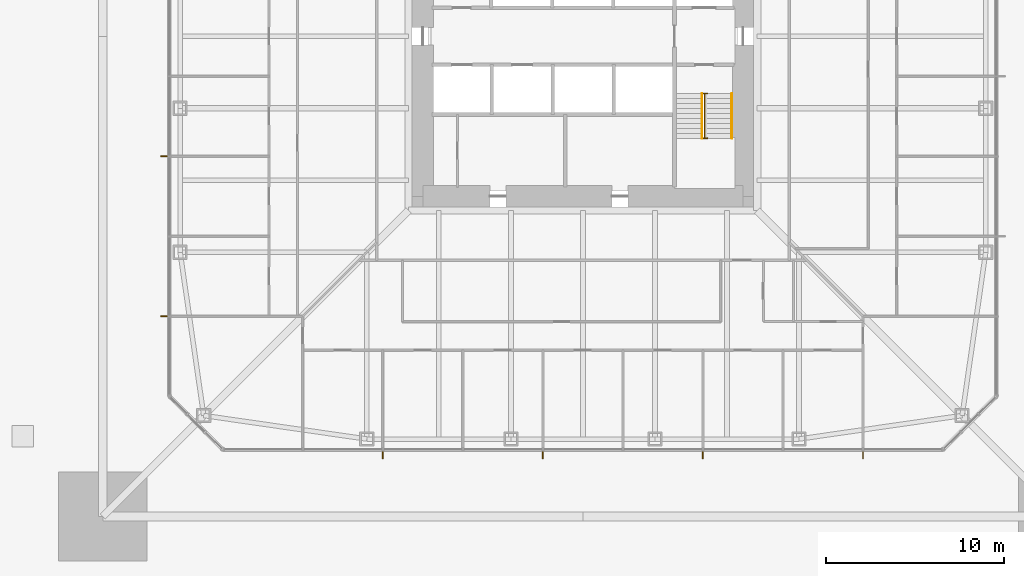
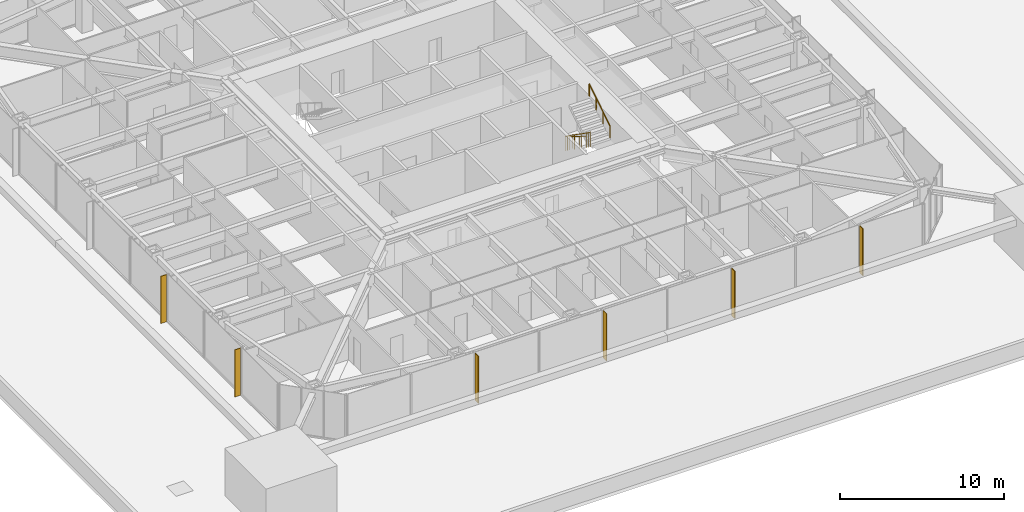
# One storey, part 27 of 31: 6 shading devices, 3 railings.
"""IFC4 building model written with IfcOpenShell, lengths in metres."""

from ifc_helpers import new_model, si_unit, direction, frame, origin, origin_2d, place, context, subcontext, project, spatial, rectangle, circle, extrude, material, layer, layer_set, constituent, constituent_set, type_object, element, save


model = new_model("IFC4")

# Units and contexts
model_context = context("Model", 3, precision=1e-05, world=origin(), true_north=direction((0.0, 1.0)))
body_context = subcontext(model_context, "Body", "Model", "MODEL_VIEW")
ifc_project = project(units=[si_unit("LENGTHUNIT", "METRE"), si_unit("AREAUNIT", "SQUARE_METRE"), si_unit("VOLUMEUNIT", "CUBIC_METRE"), si_unit("PLANEANGLEUNIT", "RADIAN"), si_unit("MASSUNIT", "GRAM", prefix="KILO")], contexts=[model_context])

# Site, building, storey
site_placement = place(None, origin())
site = spatial("IfcSite", under=ifc_project, at=site_placement, CompositionType="ELEMENT")
building_placement = place(site_placement, origin())
building = spatial("IfcBuilding", under=site, at=building_placement, Name="Iwan Alto Co-Living Towers", CompositionType="ELEMENT")
storey_placement = place(building_placement, frame((0.0, 0.0, 15.0)))
storey = spatial("IfcBuildingStorey", under=building, at=storey_placement, Name="L03", CompositionType="ELEMENT", Elevation=15.0)

# Shading devices
ifc_material_1 = material(Name="Aluminium 6063-T6 bronze anodised", Category="aluminium")
ifc_layer = layer(ifc_material_1, 0.050048828125)
ifc_layer_set = layer_set([ifc_layer], Name="BRONZE FIN 50X400")
shading_device_type = type_object("IfcShadingDeviceType", Name="BRONZE FIN 50X400", PredefinedType="USERDEFINED", material=ifc_layer_set)
for number, where, z_axis, x_axis, name in (
    (1, (-11.25, -23.550048828125, 0.0), (0.0, 0.0, 1.0), (1.0, 0.0, 0.0), "Bronze fin L03"),
    (2, (-2.25, -23.550048828125, 0.0), (0.0, 0.0, 1.0), (1.0, 0.0, 0.0), "Bronze fin L03"),
    (3, (6.75, -23.550048828125, 0.0), (0.0, 0.0, 1.0), (1.0, 0.0, 0.0), "Bronze fin L03"),
    (4, (15.75, -23.550048828125, 0.0), (0.0, 0.0, 1.0), (1.0, 0.0, 0.0), "Bronze fin L03"),
    (5, (-23.550048828125, -6.75, 0.0), (0.0, 0.0, 1.0), (0.0, -1.0, 0.0), "Bronze fin L03"),
    (6, (-23.550048828125, -15.75, 0.0), (0.0, 0.0, 1.0), (0.0, -1.0, 0.0), "Bronze fin L03"),
):
    element("IfcShadingDevice", number, at=place(storey_placement, frame(where, z_axis=z_axis, x_axis=x_axis)), inside=storey, type_object=shading_device_type, Name=name, ObjectType="LOUVER", PredefinedType="USERDEFINED", context=body_context, shape_type="SweptSolid", body=[
        extrude(rectangle(XDim=0.050048828125, YDim=0.39990234375, at=origin_2d()), origin(), (0.0, 0.0, 1.0), 3.5),
    ])

# Railings
ifc_material_2 = material(Name="Steel ASTM A500 Gr C", Category="steel")
ifc_constituent_1 = constituent(ifc_material_2, Name="Rails and posts", Category="Framing")
ifc_material_3 = material(Name="Steel ASTM A36", Category="steel")
ifc_constituent_2 = constituent(ifc_material_3, Name="Bar infill", Category="Infill")
ifc_constituent_set = constituent_set(constituents=[ifc_constituent_1, ifc_constituent_2], Name="STAIR GUARD 1100")
railing_type_1 = type_object("IfcRailingType", Name="STAIR GUARD 1100", PredefinedType="GUARDRAIL", material=ifc_constituent_set)
railing_1_placement = place(storey_placement, frame((6.85009765625, -3.219970703125, 0.0)))
element("IfcRailing", 7, at=railing_1_placement, inside=storey, type_object=railing_type_1, Name="Stair T1-S2 well guard L03", PredefinedType="GUARDRAIL", context=body_context, shape_type="SweptSolid", body=[
    extrude(circle(Radius=0.02392578125, at=origin_2d()), frame((0.0, 0.0, 1.076171875), z_axis=(0.0, -0.821372036852, 0.570392826987), x_axis=(1.0, 0.0, 0.0)), (0.0, 0.0, 1.0), 3.068115234375),
    extrude(circle(Radius=0.02392578125, at=origin_2d()), frame((-0.150146484375, 0.0, 1.076171875), z_axis=(1.0, 0.0, 0.0), x_axis=(0.0, 1.0, 0.0)), (0.0, 0.0, 1.0), 0.300048828125),
    extrude(circle(Radius=0.02392578125, at=origin_2d()), frame((-0.150146484375, -2.52001953125, 2.826171875), z_axis=(1.0, 0.0, 0.0), x_axis=(0.0, 1.0, 0.0)), (0.0, 0.0, 1.0), 0.300048828125),
    extrude(circle(Radius=0.02099609375, at=origin_2d()), origin(), (0.0, 0.0, 1.0), 1.052001953125),
    extrude(circle(Radius=0.02099609375, at=origin_2d()), frame((0.0, -0.840087890625, 0.583251953125)), (0.0, 0.0, 1.0), 1.052001953125),
    extrude(circle(Radius=0.02099609375, at=origin_2d()), frame((0.0, -1.679931640625, 1.166748046875)), (0.0, 0.0, 1.0), 1.052001953125),
    extrude(circle(Radius=0.02099609375, at=origin_2d()), frame((0.0, -2.52001953125, 1.75)), (0.0, 0.0, 1.0), 1.052001953125),
    extrude(circle(Radius=0.02099609375, at=origin_2d()), frame((-0.150146484375, 0.0, 0.0)), (0.0, 0.0, 1.0), 1.052001953125),
    extrude(circle(Radius=0.02099609375, at=origin_2d()), frame((0.14990234375, 0.0, 0.0)), (0.0, 0.0, 1.0), 1.052001953125),
    extrude(circle(Radius=0.02099609375, at=origin_2d()), frame((-0.150146484375, -2.52001953125, 1.75)), (0.0, 0.0, 1.0), 1.052001953125),
    extrude(circle(Radius=0.02099609375, at=origin_2d()), frame((0.14990234375, -2.52001953125, 1.75)), (0.0, 0.0, 1.0), 1.052001953125),
])
ifc_material_4 = material(Name="Steel ASTM A500 Gr C", Category="steel")
railing_type_2 = type_object("IfcRailingType", Name="STAIR HANDRAIL 900", PredefinedType="HANDRAIL", material=ifc_material_4)
railing_2_placement = place(storey_placement, frame((6.699951171875, -3.219970703125, 0.175048828125)))
element("IfcRailing", 8, at=railing_2_placement, inside=storey, type_object=railing_type_2, Name="Stair T1-S2 handrail 1 L03", PredefinedType="HANDRAIL", context=body_context, shape_type="SweptSolid", body=[
    extrude(circle(Radius=0.02392578125, at=origin_2d()), frame((0.0, 0.0, 0.8759765625), z_axis=(0.0, -0.848007534815, 0.529984170421), x_axis=(1.0, 0.0, 0.0)), (0.0, 0.0, 1.0), 2.9716796875),
    extrude(circle(Radius=0.02099609375, at=origin_2d()), origin(), (0.0, 0.0, 1.0), 0.851806640625),
    extrude(circle(Radius=0.02099609375, at=origin_2d()), frame((0.0, -0.840087890625, 0.52490234375)), (0.0, 0.0, 1.0), 0.851806640625),
    extrude(circle(Radius=0.02099609375, at=origin_2d()), frame((0.0, -1.679931640625, 1.050048828125)), (0.0, 0.0, 1.0), 0.851806640625),
    extrude(circle(Radius=0.02099609375, at=origin_2d()), frame((0.0, -2.52001953125, 1.574951171875)), (0.0, 0.0, 1.0), 0.851806640625),
])
railing_3_placement = place(storey_placement, frame((8.3798828125, -5.739990234375, 1.925048828125)))
element("IfcRailing", 9, at=railing_3_placement, inside=storey, type_object=railing_type_2, Name="Stair T1-S2 handrail 2 L03", PredefinedType="HANDRAIL", context=body_context, shape_type="SweptSolid", body=[
    extrude(circle(Radius=0.02392578125, at=origin_2d()), frame((0.0, 0.0, 0.8759765625), z_axis=(0.0, 0.848007534815, 0.529984170421), x_axis=(-1.0, 0.0, 0.0)), (0.0, 0.0, 1.0), 2.9716796875),
    extrude(circle(Radius=0.02099609375, at=origin_2d()), origin(), (0.0, 0.0, 1.0), 0.851806640625),
    extrude(circle(Radius=0.02099609375, at=origin_2d()), frame((0.0, 0.840087890625, 0.52490234375)), (0.0, 0.0, 1.0), 0.851806640625),
    extrude(circle(Radius=0.02099609375, at=origin_2d()), frame((0.0, 1.679931640625, 1.050048828125)), (0.0, 0.0, 1.0), 0.851806640625),
    extrude(circle(Radius=0.02099609375, at=origin_2d()), frame((0.0, 2.52001953125, 1.574951171875)), (0.0, 0.0, 1.0), 0.851806640625),
])

save(model, "model.ifc")
